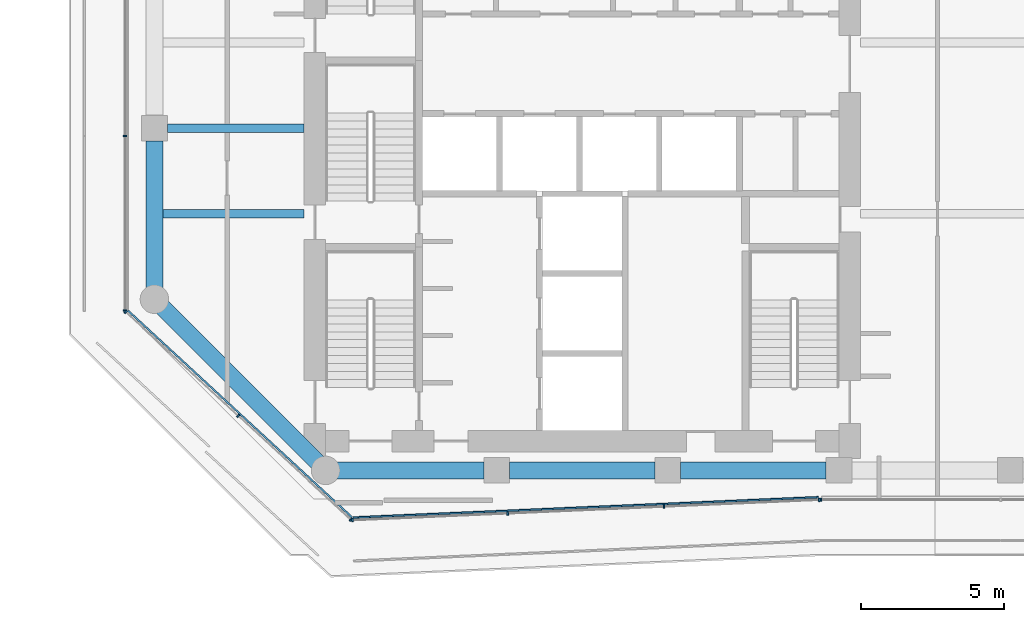
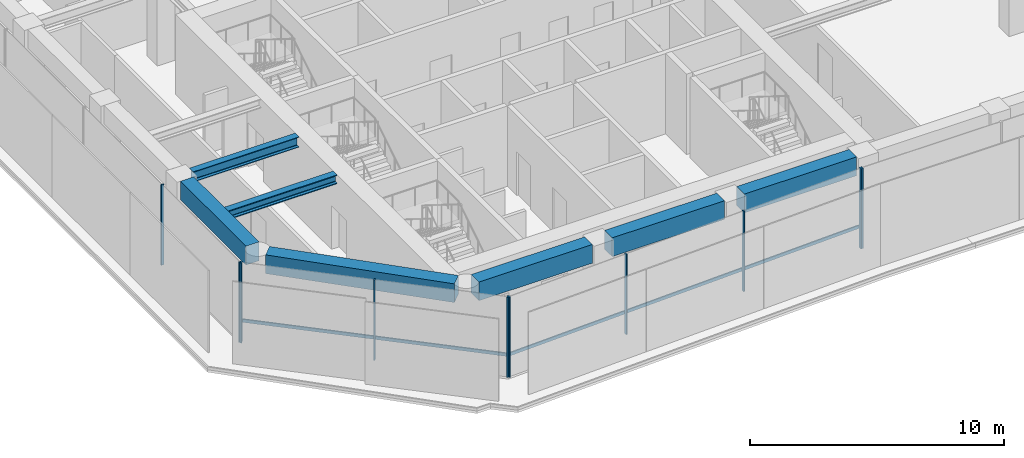
# One storey, part 2 of 24: 12 members, 7 beams, 4 elements without a shape of their own.
"""IFC4 building model written with IfcOpenShell, lengths in metres."""

from ifc_helpers import new_model, si_unit, direction, frame, origin, origin_2d, place, context, subcontext, project, spatial, rectangle, i_section, extrude, material, layer, layer_set, material_profile, profile_set, type_object, element, aggregate, save


model = new_model("IFC4")

# Units and contexts
model_context = context("Model", 3, precision=1e-05, world=origin(), true_north=direction((0.0, 1.0)))
body_context = subcontext(model_context, "Body", "Model", "MODEL_VIEW")
ifc_project = project(units=[si_unit("LENGTHUNIT", "METRE"), si_unit("AREAUNIT", "SQUARE_METRE"), si_unit("VOLUMEUNIT", "CUBIC_METRE"), si_unit("PLANEANGLEUNIT", "RADIAN"), si_unit("MASSUNIT", "GRAM", prefix="KILO")], contexts=[model_context])

# Site, building, storey
site_placement = place(None, origin())
site = spatial("IfcSite", under=ifc_project, at=site_placement, CompositionType="ELEMENT")
building_placement = place(site_placement, origin())
building = spatial("IfcBuilding", under=site, at=building_placement, Name="Welwitschia Terrace Campus", CompositionType="ELEMENT")
storey_placement = place(building_placement, frame((0.0, 0.0, 100.39990234375)))
storey = spatial("IfcBuildingStorey", under=building, at=storey_placement, Name="L22", CompositionType="ELEMENT", Elevation=100.39990234375)

# Beam
ifc_material_1 = material(Name="Steel S355", Category="steel")
ifc_material_profile_1 = material_profile(ifc_material_1, i_section(OverallWidth=0.306884765625, OverallDepth=0.431884765625, WebThickness=0.02099609375, FlangeThickness=0.0400390625, FilletRadius=0.027099609375, at=origin_2d()))
ifc_profile_set_1 = profile_set([ifc_material_profile_1], Name="Steel S355")
beam_type_1 = type_object("IfcBeamType", Name="Interior girder HE 400 M", PredefinedType="BEAM", material=ifc_profile_set_1)
beam_1_placement = place(storey_placement, frame((-0.010009765625, 13.0, 3.634033203125), z_axis=(1.0, 0.0, 0.0), x_axis=(0.0, 1.0, 0.0)))
element("IfcBeam", 1, at=beam_1_placement, inside=storey, type_object=beam_type_1, Name="Girder GB3", PredefinedType="BEAM", context=body_context, shape_type="SweptSolid", body=[
    extrude(i_section(OverallWidth=0.306884765625, OverallDepth=0.431884765625, WebThickness=0.02099609375, FlangeThickness=0.0400390625, FilletRadius=0.027099609375, at=origin_2d()), origin(), (0.0, 0.0, 1.0), 5.259033203125),
])

# Curtain wall, members
ifc_material_2 = material(Name="Bronze anodised aluminium", Category="aluminium")
ifc_layer = layer(ifc_material_2, 0.1201171875)
ifc_layer_set = layer_set([ifc_layer], Name="Bronze anodised aluminium")
curtain_wall_type = type_object("IfcCurtainWallType", Name="Curtain wall CW2 tower 6000", PredefinedType="NOTDEFINED", material=ifc_layer_set)
curtain_wall_1_placement = place(storey_placement, origin())
curtain_wall_1 = element("IfcCurtainWall", 2, at=curtain_wall_1_placement, inside=storey, type_object=curtain_wall_type, Name="CW L22.0.0", PredefinedType="NOTDEFINED")
ifc_material_3 = material(Name="Bronze anodised aluminium", Category="aluminium")
ifc_material_profile_2 = material_profile(ifc_material_3, rectangle(XDim=0.1201171875, YDim=0.06005859375, at=origin_2d()))
ifc_profile_set_2 = profile_set([ifc_material_profile_2], Name="Bronze anodised aluminium")
member_type_1 = type_object("IfcMemberType", Name="Mullion 60x120", PredefinedType="MULLION", material=ifc_profile_set_2)
member_1_placement = place(storey_placement, frame((-1.008056640625, 9.552978515625, 0.0), z_axis=(0.0, 0.0, 1.0), x_axis=(0.677975882783, 0.735084146452, 0.0)))
member_1 = element("IfcMember", 3, at=member_1_placement, type_object=member_type_1, Name="Mullion L22.0.0.0", PredefinedType="MULLION", context=body_context, shape_type="SweptSolid", body=[
    extrude(rectangle(XDim=0.1201171875, YDim=0.06005859375, at=origin_2d()), origin(), (0.0, 0.0, 1.0), 3.85009765625),
])
member_2_placement = place(storey_placement, frame((2.938720703125, 5.9130859375, 0.0), z_axis=(0.0, 0.0, 1.0), x_axis=(0.677975882783, 0.735084146452, 0.0)))
member_2 = element("IfcMember", 4, at=member_2_placement, type_object=member_type_1, Name="Mullion L22.0.0.1", PredefinedType="MULLION", context=body_context, shape_type="SweptSolid", body=[
    extrude(rectangle(XDim=0.1201171875, YDim=0.06005859375, at=origin_2d()), origin(), (0.0, 0.0, 1.0), 3.85009765625),
])
member_3_placement = place(storey_placement, frame((6.88525390625, 2.27294921875, 0.0), z_axis=(0.0, 0.0, 1.0), x_axis=(0.677975882783, 0.735084146452, 0.0)))
member_3 = element("IfcMember", 5, at=member_3_placement, type_object=member_type_1, Name="Mullion L22.0.0.2", PredefinedType="MULLION", context=body_context, shape_type="SweptSolid", body=[
    extrude(rectangle(XDim=0.1201171875, YDim=0.06005859375, at=origin_2d()), origin(), (0.0, 0.0, 1.0), 3.85009765625),
])

curtain_wall_2_placement = place(storey_placement, origin())
curtain_wall_2 = element("IfcCurtainWall", 6, at=curtain_wall_2_placement, inside=storey, type_object=curtain_wall_type, Name="CW L22.1.0", PredefinedType="NOTDEFINED")
member_4_placement = place(storey_placement, frame((6.937255859375, 2.25390625, 0.0), z_axis=(0.0, 0.0, 1.0), x_axis=(-0.043619387365, 0.999048221582, 0.0)))
member_4 = element("IfcMember", 7, at=member_4_placement, type_object=member_type_1, Name="Mullion L22.1.0.0", PredefinedType="MULLION", context=body_context, shape_type="SweptSolid", body=[
    extrude(rectangle(XDim=0.1201171875, YDim=0.06005859375, at=origin_2d()), origin(), (0.0, 0.0, 1.0), 3.85009765625),
])
member_5_placement = place(storey_placement, frame((12.38427734375, 2.49169921875, 0.0), z_axis=(0.0, 0.0, 1.0), x_axis=(-0.043619387365, 0.999048221582, 0.0)))
member_5 = element("IfcMember", 8, at=member_5_placement, type_object=member_type_1, Name="Mullion L22.1.0.1", PredefinedType="MULLION", context=body_context, shape_type="SweptSolid", body=[
    extrude(rectangle(XDim=0.1201171875, YDim=0.06005859375, at=origin_2d()), origin(), (0.0, 0.0, 1.0), 3.85009765625),
])
member_6_placement = place(storey_placement, frame((17.861083984375, 2.73095703125, 0.0), z_axis=(0.0, 0.0, 1.0), x_axis=(-0.043619387365, 0.999048221582, 0.0)))
member_6 = element("IfcMember", 9, at=member_6_placement, type_object=member_type_1, Name="Mullion L22.1.0.2", PredefinedType="MULLION", context=body_context, shape_type="SweptSolid", body=[
    extrude(rectangle(XDim=0.1201171875, YDim=0.06005859375, at=origin_2d()), origin(), (0.0, 0.0, 1.0), 3.85009765625),
])
member_7_placement = place(storey_placement, frame((23.30810546875, 2.96875, 0.0), z_axis=(0.0, 0.0, 1.0), x_axis=(-0.043619387365, 0.999048221582, 0.0)))
member_7 = element("IfcMember", 10, at=member_7_placement, type_object=member_type_1, Name="Mullion L22.1.0.3", PredefinedType="MULLION", context=body_context, shape_type="SweptSolid", body=[
    extrude(rectangle(XDim=0.1201171875, YDim=0.06005859375, at=origin_2d()), origin(), (0.0, 0.0, 1.0), 3.85009765625),
])

# Curtain wall, member
curtain_wall_3_placement = place(storey_placement, origin())
curtain_wall_3 = element("IfcCurtainWall", 11, at=curtain_wall_3_placement, inside=storey, type_object=curtain_wall_type, Name="CW L22.2.0", PredefinedType="NOTDEFINED")
member_8_placement = place(storey_placement, frame((23.3681640625, 2.969970703125, 0.0), z_axis=(0.0, 0.0, 1.0), x_axis=(0.0, 1.0, 0.0)))
member_8 = element("IfcMember", 12, at=member_8_placement, type_object=member_type_1, Name="Mullion L22.2.0.0", PredefinedType="MULLION", context=body_context, shape_type="SweptSolid", body=[
    extrude(rectangle(XDim=0.1201171875, YDim=0.06005859375, at=origin_2d()), origin(), (0.0, 0.0, 1.0), 3.85009765625),
])
aggregate(curtain_wall_3, [member_8])

# Curtain wall, members
curtain_wall_4_placement = place(storey_placement, origin())
curtain_wall_4 = element("IfcCurtainWall", 13, at=curtain_wall_4_placement, inside=storey, type_object=curtain_wall_type, Name="CW L22.11.0", PredefinedType="NOTDEFINED")
member_9_placement = place(storey_placement, frame((-1.030029296875, 15.718994140625, 0.0), z_axis=(0.0, 0.0, 1.0), x_axis=(1.0, 0.0, 0.0)))
member_9 = element("IfcMember", 14, at=member_9_placement, type_object=member_type_1, Name="Mullion L22.11.0.9", PredefinedType="MULLION", context=body_context, shape_type="SweptSolid", body=[
    extrude(rectangle(XDim=0.1201171875, YDim=0.06005859375, at=origin_2d()), origin(), (0.0, 0.0, 1.0), 3.85009765625),
])
member_10_placement = place(storey_placement, frame((-1.030029296875, 9.603271484375, 0.0), z_axis=(0.0, 0.0, 1.0), x_axis=(1.0, 0.0, 0.0)))
member_10 = element("IfcMember", 15, at=member_10_placement, type_object=member_type_1, Name="Mullion L22.11.0.10", PredefinedType="MULLION", context=body_context, shape_type="SweptSolid", body=[
    extrude(rectangle(XDim=0.1201171875, YDim=0.06005859375, at=origin_2d()), origin(), (0.0, 0.0, 1.0), 3.85009765625),
])
aggregate(curtain_wall_4, [member_9, member_10])

# Beams
ifc_material_4 = material(Name="Steel S355", Category="steel")
ifc_material_profile_3 = material_profile(ifc_material_4, i_section(OverallWidth=0.300048828125, OverallDepth=0.5, WebThickness=0.014404296875, FlangeThickness=0.028076171875, FilletRadius=0.027099609375, at=origin_2d()))
ifc_profile_set_3 = profile_set([ifc_material_profile_3], Name="Steel S355")
beam_type_2 = type_object("IfcBeamType", Name="Primary beam HE 500 B", PredefinedType="BEAM", material=ifc_profile_set_3)
beam_2_placement = place(storey_placement, frame((0.450439453125, 16.0, 3.60009765625), z_axis=(1.0, 0.0, 0.0), x_axis=(0.0, 1.0, 0.0)))
element("IfcBeam", 16, at=beam_2_placement, inside=storey, type_object=beam_type_2, Name="Primary beam PB3", PredefinedType="BEAM", context=body_context, shape_type="SweptSolid", body=[
    extrude(i_section(OverallWidth=0.300048828125, OverallDepth=0.5, WebThickness=0.014404296875, FlangeThickness=0.028076171875, FilletRadius=0.027099609375, at=origin_2d()), origin(), (0.0, 0.0, 1.0), 4.799560546875),
])
ifc_material_5 = material(Name="Concrete C60/75", Category="concrete")
ifc_material_profile_4 = material_profile(ifc_material_5, rectangle(XDim=0.60009765625, YDim=0.89990234375, at=origin_2d()))
ifc_profile_set_4 = profile_set([ifc_material_profile_4], Name="Concrete C60/75")
beam_type_3 = type_object("IfcBeamType", Name="Ring spandrel 600x900", PredefinedType="SPANDREL", material=ifc_profile_set_4)
beam_3_placement = place(storey_placement, frame((0.283203125, 9.716796875, 3.400146484375), z_axis=(0.707106781187, -0.707106781187, 0.0), x_axis=(0.707106781187, 0.707106781187, 0.0)))
element("IfcBeam", 17, at=beam_3_placement, inside=storey, type_object=beam_type_3, Name="Spandrel SP2", PredefinedType="SPANDREL", context=body_context, shape_type="SweptSolid", body=[
    extrude(rectangle(XDim=0.60009765625, YDim=0.89990234375, at=origin_2d()), origin(), (0.0, 0.0, 1.0), 7.684326171875),
])
beam_4_placement = place(storey_placement, frame((6.400390625, 4.0, 3.400146484375), z_axis=(1.0, 0.0, 0.0), x_axis=(0.0, 1.0, 0.0)))
element("IfcBeam", 18, at=beam_4_placement, inside=storey, type_object=beam_type_3, Name="Spandrel SP2", PredefinedType="SPANDREL", context=body_context, shape_type="SweptSolid", body=[
    extrude(rectangle(XDim=0.60009765625, YDim=0.89990234375, at=origin_2d()), origin(), (0.0, 0.0, 1.0), 5.149169921875),
])
for number, where, z_axis, x_axis, name in (
    (19, (12.450439453125, 4.0, 3.400146484375), (1.0, 0.0, 0.0), (0.0, 1.0, 0.0), "Spandrel SP2"),
    (20, (18.450439453125, 4.0, 3.400146484375), (1.0, 0.0, 0.0), (0.0, 1.0, 0.0), "Spandrel SP2"),
):
    element("IfcBeam", number, at=place(storey_placement, frame(where, z_axis=z_axis, x_axis=x_axis)), inside=storey, type_object=beam_type_3, Name=name, PredefinedType="SPANDREL", context=body_context, shape_type="SweptSolid", body=[
        extrude(rectangle(XDim=0.60009765625, YDim=0.89990234375, at=origin_2d()), origin(), (0.0, 0.0, 1.0), 5.09912109375),
    ])
beam_5_placement = place(storey_placement, frame((0.0, 15.549560546875, 3.400146484375), z_axis=(0.0, -1.0, 0.0), x_axis=(1.0, 0.0, 0.0)))
element("IfcBeam", 21, at=beam_5_placement, inside=storey, type_object=beam_type_3, Name="Spandrel SP2", PredefinedType="SPANDREL", context=body_context, shape_type="SweptSolid", body=[
    extrude(rectangle(XDim=0.60009765625, YDim=0.89990234375, at=origin_2d()), origin(), (0.0, 0.0, 1.0), 5.149169921875),
])

# Member
ifc_material_6 = material(Name="Bronze anodised aluminium", Category="aluminium")
ifc_material_profile_5 = material_profile(ifc_material_6, rectangle(XDim=0.06005859375, YDim=0.14990234375, at=origin_2d()))
ifc_profile_set_5 = profile_set([ifc_material_profile_5], Name="Bronze anodised aluminium")
member_type_2 = type_object("IfcMemberType", Name="Transom 60x150", PredefinedType="USERDEFINED", material=ifc_profile_set_5)
member_11_placement = place(storey_placement, frame((-0.9248046875, 9.598876953125, 1.0), z_axis=(0.735075999534, -0.677984715838, 0.0), x_axis=(0.677984715838, 0.735075999534, 0.0)))
member_11 = element("IfcMember", 22, at=member_11_placement, type_object=member_type_2, Name="Transom L22.0.0", ObjectType="TRANSOM", PredefinedType="USERDEFINED", context=body_context, shape_type="SweptSolid", body=[
    extrude(rectangle(XDim=0.06005859375, YDim=0.14990234375, at=origin_2d()), origin(), (0.0, 0.0, 1.0), 10.677978515625),
])

aggregate(curtain_wall_1, [member_1, member_2, member_3, member_11])

member_12_placement = place(storey_placement, frame((6.96337890625, 2.34521484375, 1.0), z_axis=(0.999048185046, 0.043620224158, 0.0), x_axis=(-0.043620224158, 0.999048185046, 0.0)))
member_12 = element("IfcMember", 23, at=member_12_placement, type_object=member_type_2, Name="Transom L22.1.0", ObjectType="TRANSOM", PredefinedType="USERDEFINED", context=body_context, shape_type="SweptSolid", body=[
    extrude(rectangle(XDim=0.06005859375, YDim=0.14990234375, at=origin_2d()), origin(), (0.0, 0.0, 1.0), 16.326416015625),
])

aggregate(curtain_wall_2, [member_4, member_5, member_6, member_7, member_12])

save(model, "model.ifc")
